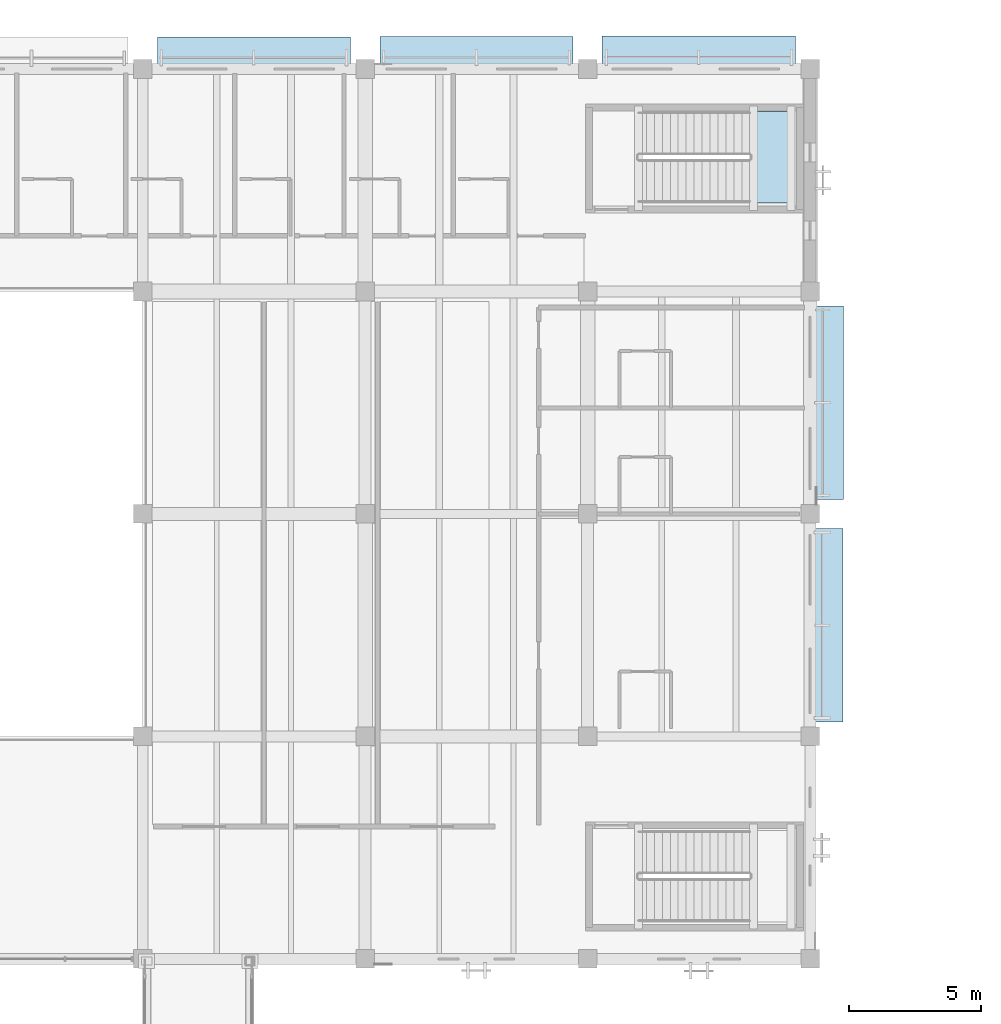
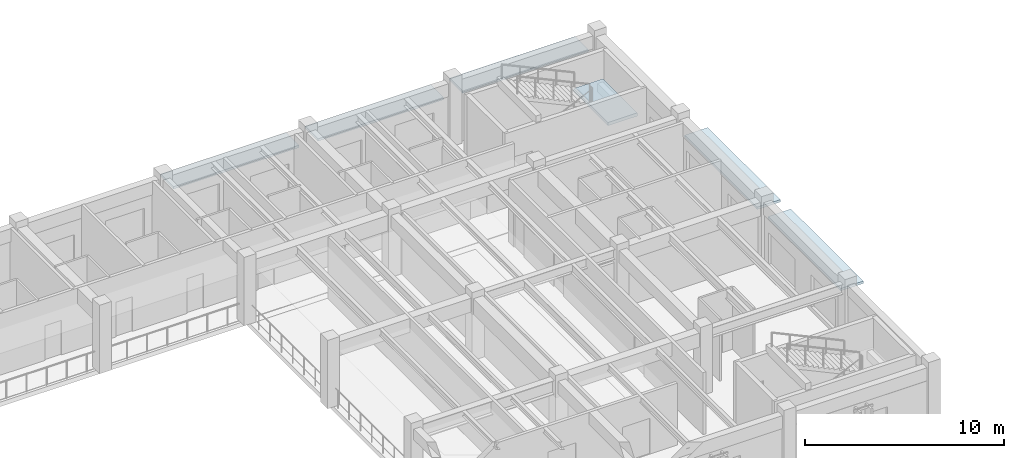
# One storey, part 70 of 132: 5 plates, 1 slab, 6 elements without a shape of their own.
"""IFC4 building model written with IfcOpenShell, lengths in metres."""

from ifc_helpers import new_model, si_unit, direction, frame, origin, origin_2d, place, context, subcontext, project, spatial, polyline, rectangle, outline, extrude, material, layer, layer_set, type_object, element, aggregate, save


model = new_model("IFC4")

# Units and contexts
model_context = context("Model", 3, precision=1e-05, world=origin(), true_north=direction((0.0, 1.0)))
body_context = subcontext(model_context, "Body", "Model", "MODEL_VIEW")
ifc_project = project(units=[si_unit("LENGTHUNIT", "METRE"), si_unit("AREAUNIT", "SQUARE_METRE"), si_unit("VOLUMEUNIT", "CUBIC_METRE"), si_unit("PLANEANGLEUNIT", "RADIAN"), si_unit("MASSUNIT", "GRAM", prefix="KILO")], contexts=[model_context])

# Site, building, storey
site_placement = place(None, origin())
site = spatial("IfcSite", under=ifc_project, at=site_placement, CompositionType="ELEMENT")
building_placement = place(site_placement, origin())
building = spatial("IfcBuilding", under=site, at=building_placement, Name="Cumbredor Promenade Congress Hotel", CompositionType="ELEMENT")
storey_placement = place(building_placement, frame((0.0, 0.0, 7.56005859375)))
storey = spatial("IfcBuildingStorey", under=building, at=storey_placement, Name="L02", CompositionType="ELEMENT", Elevation=7.56005859375)

# Stair, slab
ifc_material_1 = material(Name="Concrete C40/50", Category="concrete")
stair_type = type_object("IfcStairType", Name="Protected Dog-Leg Exit Stair ST-T3 1650mm", PredefinedType="HALF_TURN_STAIR", material=ifc_material_1)
stair_placement = place(storey_placement, origin())
stair = element("IfcStair", 1, at=stair_placement, inside=storey, type_object=stair_type, Name="L02 Protected Exit Stair ST-16", PredefinedType="HALF_TURN_STAIR")
ifc_layer_1 = layer(ifc_material_1, 0.199951171875, Name="Concrete C40/50", Category="concrete")
ifc_layer_set_1 = layer_set([ifc_layer_1], Name="Concrete C40/50")
slab_type = type_object("IfcSlabType", Name="Concrete Stair Landing Slab 200mm", PredefinedType="LANDING", material=ifc_layer_set_1)
slab_placement = place(storey_placement, frame((0.0, 0.0, 1.89990234375)))
slab = element("IfcSlab", 2, at=slab_placement, type_object=slab_type, Name="ST-16 landing 1", PredefinedType="LANDING", context=body_context, shape_type="SweptSolid", body=[
    extrude(outline(polyline([(174.1201171875, 112.550048828125), (175.820068359375, 112.550048828125), (175.820068359375, 116.0), (174.1201171875, 116.0), (174.1201171875, 112.550048828125)])), origin(), (0.0, 0.0, 1.0), 0.199951171875),
])
aggregate(stair, [slab])

# Curtain wall, plate
ifc_material_2 = material(Name="Thermally broken anodized aluminium and low-E glass", Category="aluminium")
curtain_wall_type = type_object("IfcCurtainWallType", Name="Solar Brise-Soleil Screen Assembly CW-07", PredefinedType="NOTDEFINED", material=ifc_material_2)
curtain_wall_1_placement = place(storey_placement, origin())
curtain_wall_1 = element("IfcCurtainWall", 3, at=curtain_wall_1_placement, inside=storey, type_object=curtain_wall_type, Name="L02 Hospitality Brise-Soleil Screen 034", PredefinedType="NOTDEFINED")
ifc_material_3 = material(Name="Precast concrete C40/50", Category="concrete")
ifc_layer_2 = layer(ifc_material_3, 0.14501953125, Name="Precast concrete C40/50", Category="concrete")
ifc_layer_set_2 = layer_set([ifc_layer_2], Name="Precast concrete C40/50")
plate_type = type_object("IfcPlateType", Name="Horizontal Precast Sun-Hood Eyebrow Plate 145mm", PredefinedType="USERDEFINED", material=ifc_layer_set_2)
plate_1_placement = place(storey_placement, frame((155.39990234375, 118.166259765625, 2.824951171875), z_axis=(0.0, 0.0, 1.0), x_axis=(1.0, 0.0, 0.0)))
plate_1 = element("IfcPlate", 4, at=plate_1_placement, type_object=plate_type, Name="L02 Horizontal Sun-Hood Eyebrow 034", ObjectType="SUN HOOD", PredefinedType="USERDEFINED", context=body_context, shape_type="SweptSolid", body=[
    extrude(rectangle(XDim=7.298095703125, YDim=1.29248046875, at=origin_2d()), origin(), (0.0, 0.0, 1.0), 0.14501953125),
])
aggregate(curtain_wall_1, [plate_1])

curtain_wall_2_placement = place(storey_placement, origin())
curtain_wall_2 = element("IfcCurtainWall", 5, at=curtain_wall_2_placement, inside=storey, type_object=curtain_wall_type, Name="L02 Hospitality Brise-Soleil Screen 035", PredefinedType="NOTDEFINED")
plate_2_placement = place(storey_placement, frame((163.800048828125, 118.172607421875, 2.824951171875), z_axis=(0.0, 0.0, 1.0), x_axis=(1.0, 0.0, 0.0)))
plate_2 = element("IfcPlate", 6, at=plate_2_placement, type_object=plate_type, Name="L02 Horizontal Sun-Hood Eyebrow 035", ObjectType="SUN HOOD", PredefinedType="USERDEFINED", context=body_context, shape_type="SweptSolid", body=[
    extrude(rectangle(XDim=7.298095703125, YDim=1.304931640625, at=origin_2d()), origin(), (0.0, 0.0, 1.0), 0.14501953125),
])
aggregate(curtain_wall_2, [plate_2])

curtain_wall_3_placement = place(storey_placement, origin())
curtain_wall_3 = element("IfcCurtainWall", 7, at=curtain_wall_3_placement, inside=storey, type_object=curtain_wall_type, Name="L02 Hospitality Brise-Soleil Screen 036", PredefinedType="NOTDEFINED")
plate_3_placement = place(storey_placement, frame((172.199951171875, 118.179931640625, 2.824951171875), z_axis=(0.0, 0.0, 1.0), x_axis=(1.0, 0.0, 0.0)))
plate_3 = element("IfcPlate", 8, at=plate_3_placement, type_object=plate_type, Name="L02 Horizontal Sun-Hood Eyebrow 036", ObjectType="SUN HOOD", PredefinedType="USERDEFINED", context=body_context, shape_type="SweptSolid", body=[
    extrude(rectangle(XDim=7.298095703125, YDim=1.320068359375, at=origin_2d()), origin(), (0.0, 0.0, 1.0), 0.14501953125),
])
aggregate(curtain_wall_3, [plate_3])

curtain_wall_4_placement = place(storey_placement, origin())
curtain_wall_4 = element("IfcCurtainWall", 9, at=curtain_wall_4_placement, inside=storey, type_object=curtain_wall_type, Name="L02 Hospitality Brise-Soleil Screen 037", PredefinedType="NOTDEFINED")
plate_4_placement = place(storey_placement, frame((176.97998046875, 96.60009765625, 2.875), z_axis=(0.0, 0.0, 1.0), x_axis=(0.0, 1.0, 0.0)))
plate_4 = element("IfcPlate", 10, at=plate_4_placement, type_object=plate_type, Name="L02 Horizontal Sun-Hood Eyebrow 037", ObjectType="SUN HOOD", PredefinedType="USERDEFINED", context=body_context, shape_type="SweptSolid", body=[
    extrude(rectangle(XDim=7.298095703125, YDim=1.320068359375, at=origin_2d()), origin(), (0.0, 0.0, 1.0), 0.14501953125),
])
aggregate(curtain_wall_4, [plate_4])

curtain_wall_5_placement = place(storey_placement, origin())
curtain_wall_5 = element("IfcCurtainWall", 11, at=curtain_wall_5_placement, inside=storey, type_object=curtain_wall_type, Name="L02 Hospitality Brise-Soleil Screen 038", PredefinedType="NOTDEFINED")
plate_5_placement = place(storey_placement, frame((176.9912109375, 105.0, 2.77490234375), z_axis=(0.0, 0.0, 1.0), x_axis=(0.0, 1.0, 0.0)))
plate_5 = element("IfcPlate", 12, at=plate_5_placement, type_object=plate_type, Name="L02 Horizontal Sun-Hood Eyebrow 038", ObjectType="SUN HOOD", PredefinedType="USERDEFINED", context=body_context, shape_type="SweptSolid", body=[
    extrude(rectangle(XDim=7.298095703125, YDim=1.342529296875, at=origin_2d()), origin(), (0.0, 0.0, 1.0), 0.14501953125),
])
aggregate(curtain_wall_5, [plate_5])

save(model, "model.ifc")
